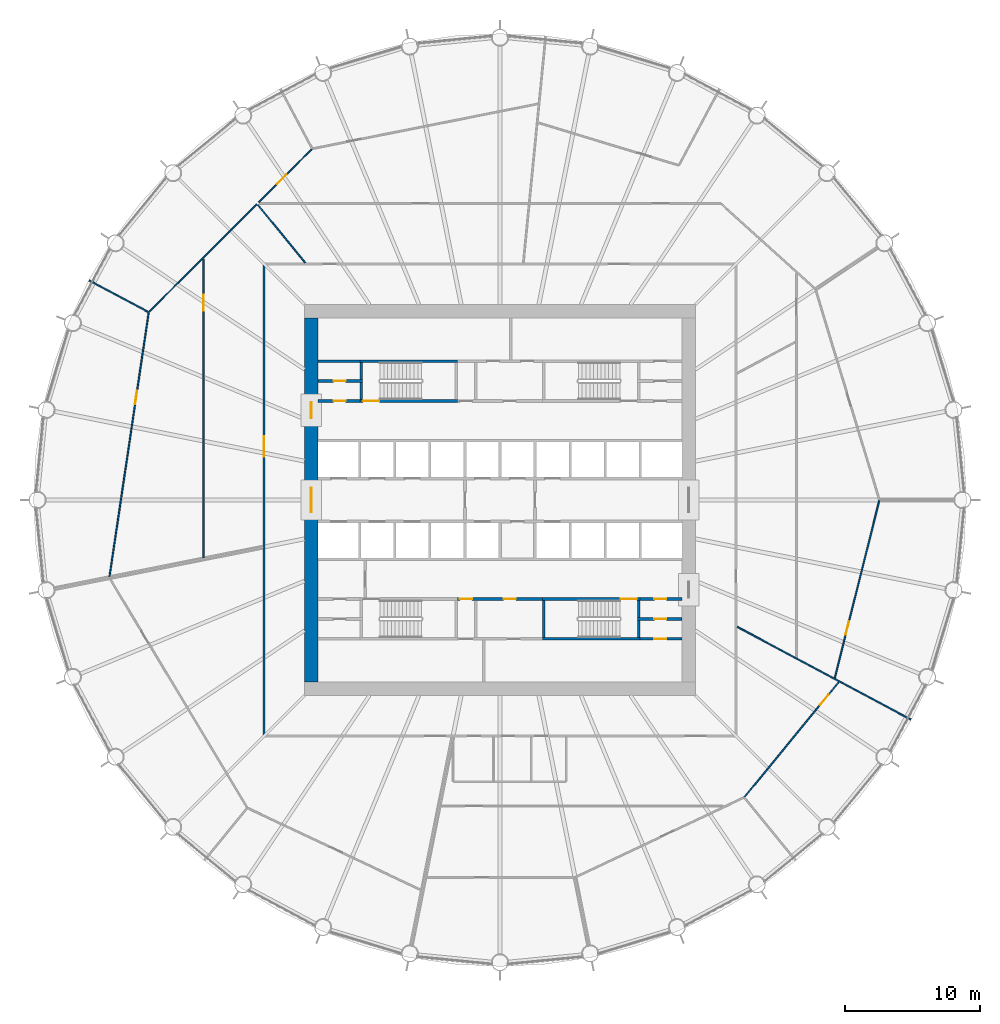
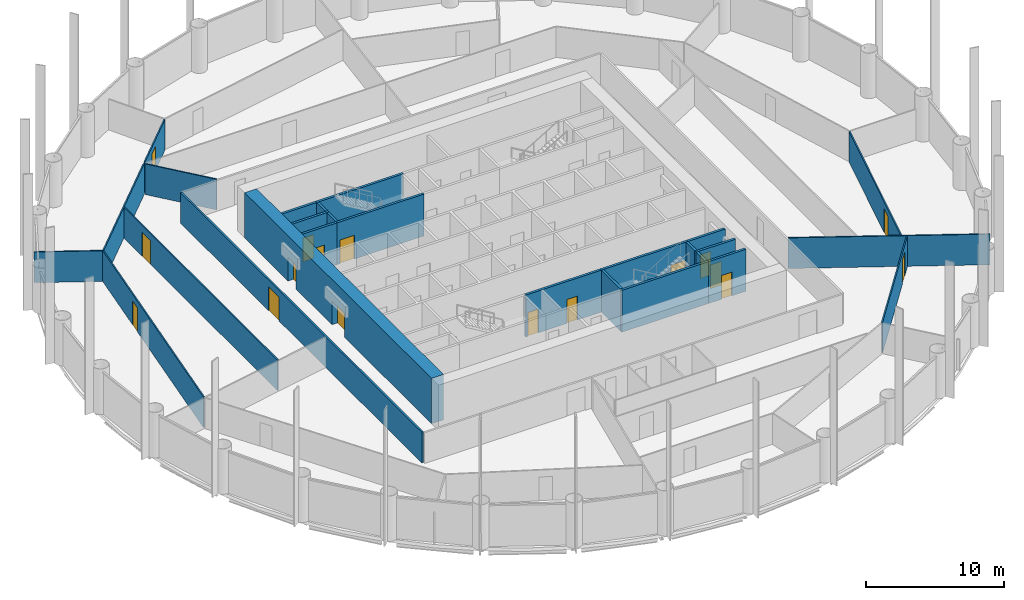
# One storey, part 5 of 10: 27 walls, 17 doors, 17 openings.
"""IFC4 building model written with IfcOpenShell, lengths in metres."""

from ifc_helpers import new_model, si_unit, direction, frame, frame_2d, origin, place, context, subcontext, project, spatial, polyline, rectangle, outline, extrude, material, layer, layer_set, type_object, element, fill, save


model = new_model("IFC4")

# Units and contexts
model_context = context("Model", 3, precision=1e-05, world=origin(), true_north=direction((0.0, 1.0)))
body_context = subcontext(model_context, "Body", "Model", "MODEL_VIEW")
ifc_project = project(units=[si_unit("LENGTHUNIT", "METRE"), si_unit("AREAUNIT", "SQUARE_METRE"), si_unit("VOLUMEUNIT", "CUBIC_METRE"), si_unit("PLANEANGLEUNIT", "RADIAN"), si_unit("MASSUNIT", "GRAM", prefix="KILO")], contexts=[model_context])

# Site, building, storey
site_placement = place(None, origin())
site = spatial("IfcSite", under=ifc_project, at=site_placement, CompositionType="ELEMENT")
building_placement = place(site_placement, origin())
building = spatial("IfcBuilding", under=site, at=building_placement, Name="Corvane Civic Tower", CompositionType="ELEMENT")
storey_placement = place(building_placement, frame((0.0, 0.0, 118.5)))
storey = spatial("IfcBuildingStorey", under=building, at=storey_placement, Name="L27", CompositionType="ELEMENT", Elevation=118.5)

# Wall, openings, doors
ifc_material_1 = material(Name="Concrete C70/85", Category="concrete")
ifc_layer_1 = layer(ifc_material_1, 1.0)
ifc_layer_set_1 = layer_set([ifc_layer_1], Name="Concrete C70/85")
wall_type_1 = type_object("IfcWallType", Name="CORE WALL 1000 C70/85", PredefinedType="SHEAR", material=ifc_layer_set_1)
wall_1_placement = place(storey_placement, frame((-14.0, -13.5, 0.0), z_axis=(0.0, 0.0, 1.0), x_axis=(0.0, 1.0, 0.0)))
wall_1 = element("IfcWall", 1, at=wall_1_placement, inside=storey, type_object=wall_type_1, Name="W-L27-core-W", PredefinedType="SHEAR", context=body_context, shape_type="SweptSolid", body=[
    extrude(rectangle(XDim=27.0, YDim=1.0, at=frame_2d((13.5, 0.0))), origin(), (0.0, 0.0, 1.0), 4.0),
])
opening_1_placement = place(wall_1_placement, frame((12.60009765625, 0.0, 0.0)))
opening_1 = element("IfcOpeningElement", 2, at=opening_1_placement, cuts=wall_1, Name="Opening L27.C27", PredefinedType="OPENING", context=body_context, shape_type="SweptSolid", body=[
    extrude(rectangle(XDim=1.800048828125, YDim=2.10009765625, at=frame_2d((0.89990234375, 1.050048828125))), frame((0.0, 0.510009765625, 0.0), z_axis=(0.0, -1.0, 0.0), x_axis=(1.0, 0.0, 0.0)), (0.0, 0.0, 1.0), 1.02001953125),
])
opening_2_placement = place(wall_1_placement, frame((19.550048828125, 0.0, 0.0)))
opening_2 = element("IfcOpeningElement", 3, at=opening_2_placement, cuts=wall_1, Name="Opening L27.C29", PredefinedType="OPENING", context=body_context, shape_type="SweptSolid", body=[
    extrude(rectangle(XDim=1.199951171875, YDim=2.10009765625, at=frame_2d((0.60009765625, 1.050048828125))), frame((0.0, 0.510009765625, 0.0), z_axis=(0.0, -1.0, 0.0), x_axis=(1.0, 0.0, 0.0)), (0.0, 0.0, 1.0), 1.02001953125),
])
ifc_material_2 = material(Name="Steel fire door leaf", Category="steel")
door_type_1 = type_object("IfcDoorType", Name="CR-DOOR-CORE-1800", OperationType="DOUBLE_DOOR_SINGLE_SWING", PredefinedType="DOOR", material=ifc_material_2)
door_1_placement = place(opening_1_placement, origin())
door_1 = element("IfcDoor", 4, at=door_1_placement, inside=storey, type_object=door_type_1, Name="L27 door", OperationType="DOUBLE_DOOR_SINGLE_SWING", OverallHeight=2.10009765625, OverallWidth=1.800048828125, PredefinedType="DOOR", context=body_context, shape_type="SweptSolid", body=[
    extrude(rectangle(XDim=1.800048828125, YDim=2.10009765625, at=frame_2d((0.89990234375, 1.050048828125))), frame((0.0, 0.02490234375, 0.0), z_axis=(0.0, -1.0, 0.0), x_axis=(1.0, 0.0, 0.0)), (0.0, 0.0, 1.0), 0.050048828125),
])
fill(opening_1, door_1)
door_2_placement = place(opening_2_placement, origin())
door_2 = element("IfcDoor", 5, at=door_2_placement, inside=storey, type_object=door_type_1, Name="L27 door", OperationType="DOUBLE_DOOR_SINGLE_SWING", OverallHeight=2.10009765625, OverallWidth=1.199951171875, PredefinedType="DOOR", context=body_context, shape_type="SweptSolid", body=[
    extrude(rectangle(XDim=1.199951171875, YDim=2.10009765625, at=frame_2d((0.60009765625, 1.050048828125))), frame((0.0, 0.02490234375, 0.0), z_axis=(0.0, -1.0, 0.0), x_axis=(1.0, 0.0, 0.0)), (0.0, 0.0, 1.0), 0.050048828125),
])
fill(opening_2, door_2)

# Wall, opening, door
ifc_material_3 = material(Name="Concrete C30/37", Category="concrete")
ifc_layer_2 = layer(ifc_material_3, 0.199951171875)
ifc_layer_set_2 = layer_set([ifc_layer_2], Name="Concrete C30/37")
wall_type_2 = type_object("IfcWallType", Name="CR-WALL-200", PredefinedType="PARTITIONING", material=ifc_layer_set_2)
wall_2_placement = place(storey_placement, frame((10.39990234375, -10.300048828125, 0.0), z_axis=(0.0, 0.0, 1.0), x_axis=(1.0, 0.0, 0.0)))
wall_2 = element("IfcWall", 6, at=wall_2_placement, inside=storey, type_object=wall_type_2, Name="L27 partition wall", PredefinedType="PARTITIONING", context=body_context, shape_type="SweptSolid", body=[
    extrude(rectangle(XDim=3.10009765625, YDim=0.199951171875, at=frame_2d((1.550048828125, 0.0))), origin(), (0.0, 0.0, 1.0), 3.699951171875),
])
opening_3_placement = place(wall_2_placement, frame((1.050048828125, 0.0, 0.0)))
opening_3 = element("IfcOpeningElement", 7, at=opening_3_placement, cuts=wall_2, Name="Opening L27.C19", PredefinedType="OPENING", context=body_context, shape_type="SweptSolid", body=[
    extrude(rectangle(XDim=0.89990234375, YDim=2.10009765625, at=frame_2d((0.449951171875, 1.050048828125))), frame((0.0, 0.10986328125, 0.0), z_axis=(0.0, -1.0, 0.0), x_axis=(1.0, 0.0, 0.0)), (0.0, 0.0, 1.0), 0.219970703125),
])
ifc_material_4 = material(Name="Steel fire door leaf", Category="steel")
door_type_2 = type_object("IfcDoorType", Name="CR-DOOR-900", OperationType="SINGLE_SWING_LEFT", PredefinedType="DOOR", material=ifc_material_4)
door_3_placement = place(opening_3_placement, origin())
door_3 = element("IfcDoor", 8, at=door_3_placement, inside=storey, type_object=door_type_2, Name="L27 door", OperationType="SINGLE_SWING_LEFT", OverallHeight=2.10009765625, OverallWidth=0.89990234375, PredefinedType="DOOR", context=body_context, shape_type="SweptSolid", body=[
    extrude(rectangle(XDim=0.89990234375, YDim=2.10009765625, at=frame_2d((0.449951171875, 1.050048828125))), frame((0.0, 0.02490234375, 0.0), z_axis=(0.0, -1.0, 0.0), x_axis=(1.0, 0.0, 0.0)), (0.0, 0.0, 1.0), 0.050048828125),
])
fill(opening_3, door_3)

wall_3_placement = place(storey_placement, frame((10.199951171875, -8.824951171875, 0.0), z_axis=(0.0, 0.0, 1.0), x_axis=(1.0, 0.0, 0.0)))
wall_3 = element("IfcWall", 9, at=wall_3_placement, inside=storey, type_object=wall_type_2, Name="L27 partition wall", PredefinedType="PARTITIONING", context=body_context, shape_type="SweptSolid", body=[
    extrude(rectangle(XDim=3.300048828125, YDim=0.199951171875, at=frame_2d((1.64990234375, 0.0))), origin(), (0.0, 0.0, 1.0), 3.699951171875),
])
opening_4_placement = place(wall_3_placement, frame((1.25, 0.0, 0.0)))
opening_4 = element("IfcOpeningElement", 10, at=opening_4_placement, cuts=wall_3, Name="Opening L27.C18", PredefinedType="OPENING", context=body_context, shape_type="SweptSolid", body=[
    extrude(rectangle(XDim=0.89990234375, YDim=2.10009765625, at=frame_2d((0.449951171875, 1.050048828125))), frame((0.0, 0.10986328125, 0.0), z_axis=(0.0, -1.0, 0.0), x_axis=(1.0, 0.0, 0.0)), (0.0, 0.0, 1.0), 0.219970703125),
])
door_4_placement = place(opening_4_placement, origin())
door_4 = element("IfcDoor", 11, at=door_4_placement, inside=storey, type_object=door_type_2, Name="L27 door", OperationType="SINGLE_SWING_LEFT", OverallHeight=2.10009765625, OverallWidth=0.89990234375, PredefinedType="DOOR", context=body_context, shape_type="SweptSolid", body=[
    extrude(rectangle(XDim=0.89990234375, YDim=2.10009765625, at=frame_2d((0.449951171875, 1.050048828125))), frame((0.0, 0.02490234375, 0.0), z_axis=(0.0, -1.0, 0.0), x_axis=(1.0, 0.0, 0.0)), (0.0, 0.0, 1.0), 0.050048828125),
])
fill(opening_4, door_4)

# Wall, openings, doors
wall_4_placement = place(storey_placement, frame((-3.14990234375, -7.35009765625, 0.0), z_axis=(0.0, 0.0, 1.0), x_axis=(1.0, 0.0, 0.0)))
wall_4 = element("IfcWall", 12, at=wall_4_placement, inside=storey, type_object=wall_type_2, Name="L27 core partition wall", PredefinedType="PARTITIONING", context=body_context, shape_type="SweptSolid", body=[
    extrude(rectangle(XDim=6.2998046875, YDim=0.199951171875, at=frame_2d((3.14990234375, 0.0))), origin(), (0.0, 0.0, 1.0), 3.699951171875),
])
opening_5_placement = place(wall_4_placement, frame((0.175048828125, 0.0, 0.0)))
opening_5 = element("IfcOpeningElement", 13, at=opening_5_placement, cuts=wall_4, Name="Opening L27.C04", PredefinedType="OPENING", context=body_context, shape_type="SweptSolid", body=[
    extrude(rectangle(XDim=0.89990234375, YDim=2.10009765625, at=frame_2d((0.449951171875, 1.050048828125))), frame((0.0, 0.10986328125, 0.0), z_axis=(0.0, -1.0, 0.0), x_axis=(1.0, 0.0, 0.0)), (0.0, 0.0, 1.0), 0.219970703125),
])
opening_6_placement = place(wall_4_placement, frame((3.425048828125, 0.0, 0.0)))
opening_6 = element("IfcOpeningElement", 14, at=opening_6_placement, cuts=wall_4, Name="Opening L27.C05", PredefinedType="OPENING", context=body_context, shape_type="SweptSolid", body=[
    extrude(rectangle(XDim=0.89990234375, YDim=2.10009765625, at=frame_2d((0.449951171875, 1.050048828125))), frame((0.0, 0.10986328125, 0.0), z_axis=(0.0, -1.0, 0.0), x_axis=(1.0, 0.0, 0.0)), (0.0, 0.0, 1.0), 0.219970703125),
])
door_5_placement = place(opening_5_placement, origin())
door_5 = element("IfcDoor", 15, at=door_5_placement, inside=storey, type_object=door_type_2, Name="L27 door", OperationType="SINGLE_SWING_LEFT", OverallHeight=2.10009765625, OverallWidth=0.89990234375, PredefinedType="DOOR", context=body_context, shape_type="SweptSolid", body=[
    extrude(rectangle(XDim=0.89990234375, YDim=2.10009765625, at=frame_2d((0.449951171875, 1.050048828125))), frame((0.0, 0.02490234375, 0.0), z_axis=(0.0, -1.0, 0.0), x_axis=(1.0, 0.0, 0.0)), (0.0, 0.0, 1.0), 0.050048828125),
])
fill(opening_5, door_5)
door_6_placement = place(opening_6_placement, origin())
door_6 = element("IfcDoor", 16, at=door_6_placement, inside=storey, type_object=door_type_2, Name="L27 door", OperationType="SINGLE_SWING_LEFT", OverallHeight=2.10009765625, OverallWidth=0.89990234375, PredefinedType="DOOR", context=body_context, shape_type="SweptSolid", body=[
    extrude(rectangle(XDim=0.89990234375, YDim=2.10009765625, at=frame_2d((0.449951171875, 1.050048828125))), frame((0.0, 0.02490234375, 0.0), z_axis=(0.0, -1.0, 0.0), x_axis=(1.0, 0.0, 0.0)), (0.0, 0.0, 1.0), 0.050048828125),
])
fill(opening_6, door_6)

# Wall, opening, door
wall_5_placement = place(storey_placement, frame((10.39990234375, -7.35009765625, 0.0), z_axis=(0.0, 0.0, 1.0), x_axis=(1.0, 0.0, 0.0)))
wall_5 = element("IfcWall", 17, at=wall_5_placement, inside=storey, type_object=wall_type_2, Name="L27 core partition wall", PredefinedType="PARTITIONING", context=body_context, shape_type="SweptSolid", body=[
    extrude(rectangle(XDim=3.10009765625, YDim=0.199951171875, at=frame_2d((1.550048828125, 0.0))), origin(), (0.0, 0.0, 1.0), 3.699951171875),
])
opening_7_placement = place(wall_5_placement, frame((1.050048828125, 0.0, 0.0)))
opening_7 = element("IfcOpeningElement", 18, at=opening_7_placement, cuts=wall_5, Name="Opening L27.C17", PredefinedType="OPENING", context=body_context, shape_type="SweptSolid", body=[
    extrude(rectangle(XDim=0.89990234375, YDim=2.10009765625, at=frame_2d((0.449951171875, 1.050048828125))), frame((0.0, 0.10986328125, 0.0), z_axis=(0.0, -1.0, 0.0), x_axis=(1.0, 0.0, 0.0)), (0.0, 0.0, 1.0), 0.219970703125),
])
door_7_placement = place(opening_7_placement, origin())
door_7 = element("IfcDoor", 19, at=door_7_placement, inside=storey, type_object=door_type_2, Name="L27 door", OperationType="SINGLE_SWING_LEFT", OverallHeight=2.10009765625, OverallWidth=0.89990234375, PredefinedType="DOOR", context=body_context, shape_type="SweptSolid", body=[
    extrude(rectangle(XDim=0.89990234375, YDim=2.10009765625, at=frame_2d((0.449951171875, 1.050048828125))), frame((0.0, 0.02490234375, 0.0), z_axis=(0.0, -1.0, 0.0), x_axis=(1.0, 0.0, 0.0)), (0.0, 0.0, 1.0), 0.050048828125),
])
fill(opening_7, door_7)

wall_6_placement = place(storey_placement, frame((-13.5, 7.35009765625, 0.0), z_axis=(0.0, 0.0, 1.0), x_axis=(1.0, 0.0, 0.0)))
wall_6 = element("IfcWall", 20, at=wall_6_placement, inside=storey, type_object=wall_type_2, Name="L27 core partition wall", PredefinedType="PARTITIONING", context=body_context, shape_type="SweptSolid", body=[
    extrude(rectangle(XDim=3.10009765625, YDim=0.199951171875, at=frame_2d((1.550048828125, 0.0))), origin(), (0.0, 0.0, 1.0), 3.699951171875),
])
opening_8_placement = place(wall_6_placement, frame((1.14990234375, 0.0, 0.0)))
opening_8 = element("IfcOpeningElement", 21, at=opening_8_placement, cuts=wall_6, Name="Opening L27.C10", PredefinedType="OPENING", context=body_context, shape_type="SweptSolid", body=[
    extrude(rectangle(XDim=0.89990234375, YDim=2.10009765625, at=frame_2d((0.449951171875, 1.050048828125))), frame((0.0, 0.10986328125, 0.0), z_axis=(0.0, -1.0, 0.0), x_axis=(1.0, 0.0, 0.0)), (0.0, 0.0, 1.0), 0.219970703125),
])
door_8_placement = place(opening_8_placement, origin())
door_8 = element("IfcDoor", 22, at=door_8_placement, inside=storey, type_object=door_type_2, Name="L27 door", OperationType="SINGLE_SWING_LEFT", OverallHeight=2.10009765625, OverallWidth=0.89990234375, PredefinedType="DOOR", context=body_context, shape_type="SweptSolid", body=[
    extrude(rectangle(XDim=0.89990234375, YDim=2.10009765625, at=frame_2d((0.449951171875, 1.050048828125))), frame((0.0, 0.02490234375, 0.0), z_axis=(0.0, -1.0, 0.0), x_axis=(1.0, 0.0, 0.0)), (0.0, 0.0, 1.0), 0.050048828125),
])
fill(opening_8, door_8)

wall_7_placement = place(storey_placement, frame((-13.5, 8.824951171875, 0.0), z_axis=(0.0, 0.0, 1.0), x_axis=(1.0, 0.0, 0.0)))
wall_7 = element("IfcWall", 23, at=wall_7_placement, inside=storey, type_object=wall_type_2, Name="L27 partition wall", PredefinedType="PARTITIONING", context=body_context, shape_type="SweptSolid", body=[
    extrude(rectangle(XDim=3.300048828125, YDim=0.199951171875, at=frame_2d((1.64990234375, 0.0))), origin(), (0.0, 0.0, 1.0), 3.699951171875),
])
opening_9_placement = place(wall_7_placement, frame((1.14990234375, 0.0, 0.0)))
opening_9 = element("IfcOpeningElement", 24, at=opening_9_placement, cuts=wall_7, Name="Opening L27.C11", PredefinedType="OPENING", context=body_context, shape_type="SweptSolid", body=[
    extrude(rectangle(XDim=0.89990234375, YDim=2.10009765625, at=frame_2d((0.449951171875, 1.050048828125))), frame((0.0, 0.10986328125, 0.0), z_axis=(0.0, -1.0, 0.0), x_axis=(1.0, 0.0, 0.0)), (0.0, 0.0, 1.0), 0.219970703125),
])
door_9_placement = place(opening_9_placement, origin())
door_9 = element("IfcDoor", 25, at=door_9_placement, inside=storey, type_object=door_type_2, Name="L27 door", OperationType="SINGLE_SWING_LEFT", OverallHeight=2.10009765625, OverallWidth=0.89990234375, PredefinedType="DOOR", context=body_context, shape_type="SweptSolid", body=[
    extrude(rectangle(XDim=0.89990234375, YDim=2.10009765625, at=frame_2d((0.449951171875, 1.050048828125))), frame((0.0, 0.02490234375, 0.0), z_axis=(0.0, -1.0, 0.0), x_axis=(1.0, 0.0, 0.0)), (0.0, 0.0, 1.0), 0.050048828125),
])
fill(opening_9, door_9)

# Wall
wall_8_placement = place(storey_placement, origin())
element("IfcWall", 26, at=wall_8_placement, inside=storey, type_object=wall_type_2, Name="L27 core partition wall", PredefinedType="PARTITIONING", context=body_context, shape_type="SweptSolid", body=[
    extrude(outline(polyline([(-13.5, 10.199951171875), (-13.5, 10.39990234375), (-10.39990234375, 10.39990234375), (-10.39990234375, 10.199951171875), (-13.5, 10.199951171875)])), origin(), (0.0, 0.0, 1.0), 3.699951171875),
])

# Wall, opening, door
ifc_material_5 = material(Name="Plasterboard")
ifc_layer_3 = layer(ifc_material_5, 0.10009765625)
ifc_layer_set_3 = layer_set([ifc_layer_3], Name="Plasterboard")
wall_type_3 = type_object("IfcWallType", Name="Partition 100 plasterboard on studs", PredefinedType="PARTITIONING", material=ifc_layer_set_3)
wall_9_placement = place(storey_placement, frame((18.133544921875, -22.032470703125, 0.0), z_axis=(0.0, 0.0, 1.0), x_axis=(0.634386449962, 0.773016061996, 0.0)))
wall_9 = element("IfcWall", 27, at=wall_9_placement, inside=storey, type_object=wall_type_3, Name="Partition L27.010", PredefinedType="PARTITIONING", context=body_context, shape_type="SweptSolid", body=[
    extrude(rectangle(XDim=11.03515625, YDim=0.10009765625, at=frame_2d((5.517578125, 0.0))), origin(), (0.0, 0.0, 1.0), 2.699951171875),
])
opening_10_placement = place(wall_9_placement, frame((8.84228515625, 0.0, 0.0)))
opening_10 = element("IfcOpeningElement", 28, at=opening_10_placement, cuts=wall_9, Name="Opening L27.018", PredefinedType="OPENING", context=body_context, shape_type="SweptSolid", body=[
    extrude(rectangle(XDim=1.0, YDim=2.10009765625, at=frame_2d((0.5, 1.050048828125))), frame((0.0, 0.06005859375, 0.0), z_axis=(0.0, -1.0, 0.0), x_axis=(1.0, 0.0, 0.0)), (0.0, 0.0, 1.0), 0.1201171875),
])
ifc_material_6 = material(Name="Timber", Category="wood")
door_type_3 = type_object("IfcDoorType", Name="Single door 1000", OperationType="NOTDEFINED", PredefinedType="DOOR", material=ifc_material_6)
door_10_placement = place(opening_10_placement, frame((1.0, 0.0, 0.0), z_axis=(0.0, 0.0, 1.0), x_axis=(-1.0, 0.0, 0.0)))
door_10 = element("IfcDoor", 29, at=door_10_placement, inside=storey, type_object=door_type_3, Name="Door L27.018", OperationType="SINGLE_SWING_RIGHT", OverallHeight=2.10009765625, OverallWidth=1.0, PredefinedType="DOOR", context=body_context, shape_type="SweptSolid", body=[
    extrude(rectangle(XDim=1.0, YDim=2.10009765625, at=frame_2d((0.5, 1.050048828125))), frame((0.0, 0.02490234375, 0.0), z_axis=(0.0, -1.0, 0.0), x_axis=(1.0, 0.0, 0.0)), (0.0, 0.0, 1.0), 0.050048828125),
])
fill(opening_10, door_10)

# Wall
wall_10_placement = place(storey_placement, frame((17.5986328125, -9.406494140625, 0.0), z_axis=(0.0, 0.0, 1.0), x_axis=(0.881914523069, -0.471409348655, 0.0)))
element("IfcWall", 30, at=wall_10_placement, inside=storey, type_object=wall_type_3, Name="Partition L27.019", PredefinedType="PARTITIONING", context=body_context, shape_type="SweptSolid", body=[
    extrude(rectangle(XDim=14.59521484375, YDim=0.10009765625, at=frame_2d((7.297607421875, 0.0))), origin(), (0.0, 0.0, 1.0), 2.699951171875),
])

# Wall, opening, door
wall_11_placement = place(storey_placement, frame((24.8349609375, -13.2041015625, 0.0), z_axis=(0.0, 0.0, 1.0), x_axis=(0.242988451645, 0.970029181194, 0.0)))
wall_11 = element("IfcWall", 31, at=wall_11_placement, inside=storey, type_object=wall_type_3, Name="Partition L27.020", PredefinedType="PARTITIONING", context=body_context, shape_type="SweptSolid", body=[
    extrude(rectangle(XDim=13.572998046875, YDim=0.10009765625, at=frame_2d((6.78662109375, 0.0))), origin(), (0.0, 0.0, 1.0), 2.699951171875),
])
opening_11_placement = place(wall_11_placement, frame((3.315185546875, 0.0, 0.0)))
opening_11 = element("IfcOpeningElement", 32, at=opening_11_placement, cuts=wall_11, Name="Opening L27.013", PredefinedType="OPENING", context=body_context, shape_type="SweptSolid", body=[
    extrude(rectangle(XDim=1.0, YDim=2.10009765625, at=frame_2d((0.5, 1.050048828125))), frame((0.0, 0.06005859375, 0.0), z_axis=(0.0, -1.0, 0.0), x_axis=(1.0, 0.0, 0.0)), (0.0, 0.0, 1.0), 0.1201171875),
])
door_11_placement = place(opening_11_placement, frame((1.0, 0.0, 0.0), z_axis=(0.0, 0.0, 1.0), x_axis=(-1.0, 0.0, 0.0)))
door_11 = element("IfcDoor", 33, at=door_11_placement, inside=storey, type_object=door_type_3, Name="Door L27.013", OperationType="SINGLE_SWING_LEFT", OverallHeight=2.10009765625, OverallWidth=1.0, PredefinedType="DOOR", context=body_context, shape_type="SweptSolid", body=[
    extrude(rectangle(XDim=1.0, YDim=2.10009765625, at=frame_2d((0.5, 1.050048828125))), frame((0.0, 0.02490234375, 0.0), z_axis=(0.0, -1.0, 0.0), x_axis=(1.0, 0.0, 0.0)), (0.0, 0.0, 1.0), 0.050048828125),
])
fill(opening_11, door_11)

wall_12_placement = place(storey_placement, frame((-28.966064453125, -5.693603515625, 0.0), z_axis=(0.0, 0.0, 1.0), x_axis=(0.146730982045, 0.989176434671, 0.0)))
wall_12 = element("IfcWall", 34, at=wall_12_placement, inside=storey, type_object=wall_type_3, Name="Partition L27.023", PredefinedType="PARTITIONING", context=body_context, shape_type="SweptSolid", body=[
    extrude(rectangle(XDim=19.800048828125, YDim=0.10009765625, at=frame_2d((9.89990234375, 0.0))), origin(), (0.0, 0.0, 1.0), 2.699951171875),
])
opening_12_placement = place(wall_12_placement, frame((12.93359375, 0.0, 0.0)))
opening_12 = element("IfcOpeningElement", 35, at=opening_12_placement, cuts=wall_12, Name="Opening L27.004", PredefinedType="OPENING", context=body_context, shape_type="SweptSolid", body=[
    extrude(rectangle(XDim=1.0, YDim=2.10009765625, at=frame_2d((0.5, 1.050048828125))), frame((0.0, 0.06005859375, 0.0), z_axis=(0.0, -1.0, 0.0), x_axis=(1.0, 0.0, 0.0)), (0.0, 0.0, 1.0), 0.1201171875),
])
door_12_placement = place(opening_12_placement, origin())
door_12 = element("IfcDoor", 36, at=door_12_placement, inside=storey, type_object=door_type_3, Name="Door L27.004", OperationType="SINGLE_SWING_LEFT", OverallHeight=2.10009765625, OverallWidth=1.0, PredefinedType="DOOR", context=body_context, shape_type="SweptSolid", body=[
    extrude(rectangle(XDim=1.0, YDim=2.10009765625, at=frame_2d((0.5, 1.050048828125))), frame((0.0, 0.02490234375, 0.0), z_axis=(0.0, -1.0, 0.0), x_axis=(1.0, 0.0, 0.0)), (0.0, 0.0, 1.0), 0.050048828125),
])
fill(opening_12, door_12)

wall_13_placement = place(storey_placement, frame((-22.0, -4.315185546875, 0.0), z_axis=(0.0, 0.0, 1.0), x_axis=(0.0, 1.0, 0.0)))
wall_13 = element("IfcWall", 37, at=wall_13_placement, inside=storey, type_object=wall_type_3, Name="Partition L27.024", PredefinedType="PARTITIONING", context=body_context, shape_type="SweptSolid", body=[
    extrude(rectangle(XDim=22.177001953125, YDim=0.10009765625, at=frame_2d((11.08837890625, 0.0))), origin(), (0.0, 0.0, 1.0), 2.699951171875),
])
opening_13_placement = place(wall_13_placement, frame((18.351318359375, 0.0, 0.0)))
opening_13 = element("IfcOpeningElement", 38, at=opening_13_placement, cuts=wall_13, Name="Opening L27.007", PredefinedType="OPENING", context=body_context, shape_type="SweptSolid", body=[
    extrude(rectangle(XDim=1.199951171875, YDim=2.10009765625, at=frame_2d((0.60009765625, 1.050048828125))), frame((0.0, 0.06005859375, 0.0), z_axis=(0.0, -1.0, 0.0), x_axis=(1.0, 0.0, 0.0)), (0.0, 0.0, 1.0), 0.1201171875),
])
ifc_material_7 = material(Name="Timber", Category="wood")
door_type_4 = type_object("IfcDoorType", Name="Double door 1200", OperationType="NOTDEFINED", PredefinedType="DOOR", material=ifc_material_7)
door_13_placement = place(opening_13_placement, origin())
door_13 = element("IfcDoor", 39, at=door_13_placement, inside=storey, type_object=door_type_4, Name="Door L27.007", OperationType="DOUBLE_DOOR_SINGLE_SWING", OverallHeight=2.10009765625, OverallWidth=1.199951171875, PredefinedType="DOOR", context=body_context, shape_type="SweptSolid", body=[
    extrude(rectangle(XDim=1.199951171875, YDim=2.10009765625, at=frame_2d((0.60009765625, 1.050048828125))), frame((0.0, 0.02490234375, 0.0), z_axis=(0.0, -1.0, 0.0), x_axis=(1.0, 0.0, 0.0)), (0.0, 0.0, 1.0), 0.050048828125),
])
fill(opening_13, door_13)

# Walls
wall_14_placement = place(storey_placement, frame((-30.470458984375, 16.286865234375, 0.0), z_axis=(0.0, 0.0, 1.0), x_axis=(0.881920046469, -0.471399015311, 0.0)))
element("IfcWall", 40, at=wall_14_placement, inside=storey, type_object=wall_type_3, Name="Partition L27.028", PredefinedType="PARTITIONING", context=body_context, shape_type="SweptSolid", body=[
    extrude(rectangle(XDim=4.96875, YDim=0.10009765625, at=frame_2d((2.484375, 0.0))), origin(), (0.0, 0.0, 1.0), 2.699951171875),
])
wall_15_placement = place(storey_placement, frame((-26.029296875, 13.953125, 0.0), z_axis=(0.0, 0.0, 1.0), x_axis=(0.707106781187, 0.707106781187, 0.0)))
element("IfcWall", 41, at=wall_15_placement, inside=storey, type_object=wall_type_3, Name="Partition L27.029", PredefinedType="PARTITIONING", context=body_context, shape_type="SweptSolid", body=[
    extrude(rectangle(XDim=11.278564453125, YDim=0.10009765625, at=frame_2d((5.63916015625, 0.0))), origin(), (0.0, 0.0, 1.0), 2.699951171875),
])
wall_16_placement = place(storey_placement, frame((-17.955322265625, 21.87841796875, 0.0), z_axis=(0.0, 0.0, 1.0), x_axis=(0.634408679779, -0.772997818251, 0.0)))
element("IfcWall", 42, at=wall_16_placement, inside=storey, type_object=wall_type_3, Name="Partition L27.034", PredefinedType="PARTITIONING", context=body_context, shape_type="SweptSolid", body=[
    extrude(rectangle(XDim=5.526123046875, YDim=0.10009765625, at=frame_2d((2.76318359375, 0.0))), origin(), (0.0, 0.0, 1.0), 2.699951171875),
])

# Wall, opening, door
wall_17_placement = place(storey_placement, frame((-17.904296875, 22.078369140625, 0.0), z_axis=(0.0, 0.0, 1.0), x_axis=(0.707128627384, 0.707084934315, 0.0)))
wall_17 = element("IfcWall", 43, at=wall_17_placement, inside=storey, type_object=wall_type_3, Name="Partition L27.037", PredefinedType="PARTITIONING", context=body_context, shape_type="SweptSolid", body=[
    extrude(rectangle(XDim=5.587646484375, YDim=0.10009765625, at=frame_2d((2.7939453125, 0.0))), origin(), (0.0, 0.0, 1.0), 2.699951171875),
])
opening_14_placement = place(wall_17_placement, frame((1.938720703125, 0.0, 0.0)))
opening_14 = element("IfcOpeningElement", 44, at=opening_14_placement, cuts=wall_17, Name="Opening L27.005", PredefinedType="OPENING", context=body_context, shape_type="SweptSolid", body=[
    extrude(rectangle(XDim=1.0, YDim=2.10009765625, at=frame_2d((0.5, 1.050048828125))), frame((0.0, 0.06005859375, 0.0), z_axis=(0.0, -1.0, 0.0), x_axis=(1.0, 0.0, 0.0)), (0.0, 0.0, 1.0), 0.1201171875),
])
door_14_placement = place(opening_14_placement, origin())
door_14 = element("IfcDoor", 45, at=door_14_placement, inside=storey, type_object=door_type_3, Name="Door L27.005", OperationType="SINGLE_SWING_LEFT", OverallHeight=2.10009765625, OverallWidth=1.0, PredefinedType="DOOR", context=body_context, shape_type="SweptSolid", body=[
    extrude(rectangle(XDim=1.0, YDim=2.10009765625, at=frame_2d((0.5, 1.050048828125))), frame((0.0, 0.02490234375, 0.0), z_axis=(0.0, -1.0, 0.0), x_axis=(1.0, 0.0, 0.0)), (0.0, 0.0, 1.0), 0.050048828125),
])
fill(opening_14, door_14)

ifc_material_8 = material(Name="Concrete C50/60", Category="concrete")
ifc_layer_4 = layer(ifc_material_8, 0.199951171875)
ifc_layer_set_4 = layer_set([ifc_layer_4], Name="Concrete C50/60")
wall_type_4 = type_object("IfcWallType", Name="ST-WALL-200", PredefinedType="SHEAR", material=ifc_layer_set_4)
wall_18_placement = place(storey_placement, frame((3.14990234375, -7.35009765625, 0.0), z_axis=(0.0, 0.0, 1.0), x_axis=(1.0, 0.0, 0.0)))
wall_18 = element("IfcWall", 46, at=wall_18_placement, inside=storey, type_object=wall_type_4, Name="L27 stair enclosure wall", PredefinedType="SHEAR", context=body_context, shape_type="SweptSolid", body=[
    extrude(rectangle(XDim=7.25, YDim=0.199951171875, at=frame_2d((3.625, 0.0))), origin(), (0.0, 0.0, 1.0), 3.699951171875),
])
opening_15_placement = place(wall_18_placement, frame((5.800048828125, 0.0, 0.0)))
opening_15 = element("IfcOpeningElement", 47, at=opening_15_placement, cuts=wall_18, Name="Opening L27.C22", PredefinedType="OPENING", context=body_context, shape_type="SweptSolid", body=[
    extrude(rectangle(XDim=1.199951171875, YDim=2.10009765625, at=frame_2d((0.60009765625, 1.050048828125))), frame((0.0, 0.10986328125, 0.0), z_axis=(0.0, -1.0, 0.0), x_axis=(1.0, 0.0, 0.0)), (0.0, 0.0, 1.0), 0.219970703125),
])
ifc_material_9 = material(Name="Steel fire door leaf", Category="steel")
door_type_5 = type_object("IfcDoorType", Name="ST-DOOR-1200", OperationType="SINGLE_SWING_RIGHT", PredefinedType="DOOR", material=ifc_material_9)
door_15_placement = place(opening_15_placement, origin())
door_15 = element("IfcDoor", 48, at=door_15_placement, inside=storey, type_object=door_type_5, Name="L27 stair door", OperationType="SINGLE_SWING_RIGHT", OverallHeight=2.10009765625, OverallWidth=1.199951171875, PredefinedType="DOOR", context=body_context, shape_type="SweptSolid", body=[
    extrude(rectangle(XDim=1.199951171875, YDim=2.10009765625, at=frame_2d((0.60009765625, 1.050048828125))), frame((0.0, 0.02490234375, 0.0), z_axis=(0.0, -1.0, 0.0), x_axis=(1.0, 0.0, 0.0)), (0.0, 0.0, 1.0), 0.050048828125),
])
fill(opening_15, door_15)

wall_19_placement = place(storey_placement, frame((-10.39990234375, 7.35009765625, 0.0), z_axis=(0.0, 0.0, 1.0), x_axis=(1.0, 0.0, 0.0)))
wall_19 = element("IfcWall", 49, at=wall_19_placement, inside=storey, type_object=wall_type_4, Name="L27 stair enclosure wall", PredefinedType="SHEAR", context=body_context, shape_type="SweptSolid", body=[
    extrude(rectangle(XDim=7.25, YDim=0.199951171875, at=frame_2d((3.625, 0.0))), origin(), (0.0, 0.0, 1.0), 3.699951171875),
])
opening_16_placement = place(wall_19_placement, frame((0.25, 0.0, 0.0)))
opening_16 = element("IfcOpeningElement", 50, at=opening_16_placement, cuts=wall_19, Name="Opening L27.C21", PredefinedType="OPENING", context=body_context, shape_type="SweptSolid", body=[
    extrude(rectangle(XDim=1.199951171875, YDim=2.10009765625, at=frame_2d((0.60009765625, 1.050048828125))), frame((0.0, 0.10986328125, 0.0), z_axis=(0.0, -1.0, 0.0), x_axis=(1.0, 0.0, 0.0)), (0.0, 0.0, 1.0), 0.219970703125),
])
door_16_placement = place(opening_16_placement, origin())
door_16 = element("IfcDoor", 51, at=door_16_placement, inside=storey, type_object=door_type_5, Name="L27 stair door", OperationType="SINGLE_SWING_RIGHT", OverallHeight=2.10009765625, OverallWidth=1.199951171875, PredefinedType="DOOR", context=body_context, shape_type="SweptSolid", body=[
    extrude(rectangle(XDim=1.199951171875, YDim=2.10009765625, at=frame_2d((0.60009765625, 1.050048828125))), frame((0.0, 0.02490234375, 0.0), z_axis=(0.0, -1.0, 0.0), x_axis=(1.0, 0.0, 0.0)), (0.0, 0.0, 1.0), 0.050048828125),
])
fill(opening_16, door_16)

# Walls
wall_20_placement = place(storey_placement, origin())
element("IfcWall", 52, at=wall_20_placement, inside=storey, type_object=wall_type_4, Name="L27 stair enclosure wall", PredefinedType="SHEAR", context=body_context, shape_type="SweptSolid", body=[
    extrude(outline(polyline([(-3.14990234375, 10.199951171875), (-10.39990234375, 10.199951171875), (-10.39990234375, 10.39990234375), (-3.14990234375, 10.39990234375), (-3.14990234375, 10.199951171875)])), origin(), (0.0, 0.0, 1.0), 3.699951171875),
])
wall_21_placement = place(storey_placement, origin())
element("IfcWall", 53, at=wall_21_placement, inside=storey, type_object=wall_type_4, Name="L27 stair enclosure wall", PredefinedType="SHEAR", context=body_context, shape_type="SweptSolid", body=[
    extrude(outline(polyline([(10.39990234375, -10.39990234375), (3.14990234375, -10.39990234375), (3.14990234375, -10.199951171875), (10.39990234375, -10.199951171875), (10.39990234375, -10.39990234375)])), origin(), (0.0, 0.0, 1.0), 3.699951171875),
])
wall_22_placement = place(storey_placement, origin())
element("IfcWall", 54, at=wall_22_placement, inside=storey, type_object=wall_type_4, Name="L27 stair enclosure wall", PredefinedType="SHEAR", context=body_context, shape_type="SweptSolid", body=[
    extrude(outline(polyline([(3.35009765625, -7.449951171875), (3.35009765625, -10.199951171875), (3.14990234375, -10.199951171875), (3.14990234375, -7.449951171875), (3.35009765625, -7.449951171875)])), origin(), (0.0, 0.0, 1.0), 3.699951171875),
])
wall_23_placement = place(storey_placement, origin())
element("IfcWall", 55, at=wall_23_placement, inside=storey, type_object=wall_type_4, Name="L27 stair enclosure wall", PredefinedType="SHEAR", context=body_context, shape_type="SweptSolid", body=[
    extrude(outline(polyline([(-10.199951171875, 8.72509765625), (-10.199951171875, 7.449951171875), (-10.39990234375, 7.449951171875), (-10.39990234375, 8.72509765625), (-10.199951171875, 8.72509765625)])), origin(), (0.0, 0.0, 1.0), 3.699951171875),
])
wall_24_placement = place(storey_placement, origin())
element("IfcWall", 56, at=wall_24_placement, inside=storey, type_object=wall_type_4, Name="L27 stair enclosure wall", PredefinedType="SHEAR", context=body_context, shape_type="SweptSolid", body=[
    extrude(outline(polyline([(10.39990234375, -7.449951171875), (10.39990234375, -8.72509765625), (10.199951171875, -8.72509765625), (10.199951171875, -7.449951171875), (10.39990234375, -7.449951171875)])), origin(), (0.0, 0.0, 1.0), 3.699951171875),
])
wall_25_placement = place(storey_placement, origin())
element("IfcWall", 57, at=wall_25_placement, inside=storey, type_object=wall_type_4, Name="L27 stair enclosure wall", PredefinedType="SHEAR", context=body_context, shape_type="SweptSolid", body=[
    extrude(outline(polyline([(-10.199951171875, 8.925048828125), (-10.39990234375, 8.925048828125), (-10.39990234375, 10.199951171875), (-10.199951171875, 10.199951171875), (-10.199951171875, 8.925048828125)])), origin(), (0.0, 0.0, 1.0), 3.699951171875),
])
wall_26_placement = place(storey_placement, origin())
element("IfcWall", 58, at=wall_26_placement, inside=storey, type_object=wall_type_4, Name="L27 stair enclosure wall", PredefinedType="SHEAR", context=body_context, shape_type="SweptSolid", body=[
    extrude(outline(polyline([(10.39990234375, -8.925048828125), (10.39990234375, -10.199951171875), (10.199951171875, -10.199951171875), (10.199951171875, -8.925048828125), (10.39990234375, -8.925048828125)])), origin(), (0.0, 0.0, 1.0), 3.699951171875),
])

# Wall, opening, door
ifc_material_10 = material(Name="Plasterboard")
ifc_layer_5 = layer(ifc_material_10, 0.14990234375)
ifc_layer_set_5 = layer_set([ifc_layer_5], Name="Plasterboard")
wall_type_5 = type_object("IfcWallType", Name="Tenancy wall 150 EI 60", PredefinedType="PARTITIONING", material=ifc_layer_set_5)
wall_27_placement = place(storey_placement, frame((-17.5, -17.425048828125, 0.0), z_axis=(0.0, 0.0, 1.0), x_axis=(0.0, 1.0, 0.0)))
wall_27 = element("IfcWall", 59, at=wall_27_placement, inside=storey, type_object=wall_type_5, Name="Partition L27.017", PredefinedType="PARTITIONING", context=body_context, shape_type="SweptSolid", body=[
    extrude(rectangle(XDim=34.85009765625, YDim=0.14990234375, at=frame_2d((17.425048828125, 0.0))), origin(), (0.0, 0.0, 1.0), 2.699951171875),
])
opening_17_placement = place(wall_27_placement, frame((20.637939453125, 0.0, 0.0)))
opening_17 = element("IfcOpeningElement", 60, at=opening_17_placement, cuts=wall_27, Name="Opening L27.009", PredefinedType="OPENING", context=body_context, shape_type="SweptSolid", body=[
    extrude(rectangle(XDim=1.5, YDim=2.10009765625, at=frame_2d((0.75, 1.050048828125))), frame((0.0, 0.0849609375, 0.0), z_axis=(0.0, -1.0, 0.0), x_axis=(1.0, 0.0, 0.0)), (0.0, 0.0, 1.0), 0.169921875),
])
ifc_material_11 = material(Name="Steel and timber", Category="steel")
door_type_6 = type_object("IfcDoorType", Name="Fire door FD60 double 1500", OperationType="NOTDEFINED", PredefinedType="DOOR", material=ifc_material_11)
door_17_placement = place(opening_17_placement, origin())
door_17 = element("IfcDoor", 61, at=door_17_placement, inside=storey, type_object=door_type_6, Name="Door L27.009", OperationType="DOUBLE_DOOR_SINGLE_SWING", OverallHeight=2.10009765625, OverallWidth=1.5, PredefinedType="DOOR", context=body_context, shape_type="SweptSolid", body=[
    extrude(rectangle(XDim=1.5, YDim=2.10009765625, at=frame_2d((0.75, 1.050048828125))), frame((0.0, 0.02490234375, 0.0), z_axis=(0.0, -1.0, 0.0), x_axis=(1.0, 0.0, 0.0)), (0.0, 0.0, 1.0), 0.050048828125),
])
fill(opening_17, door_17)

save(model, "model.ifc")
